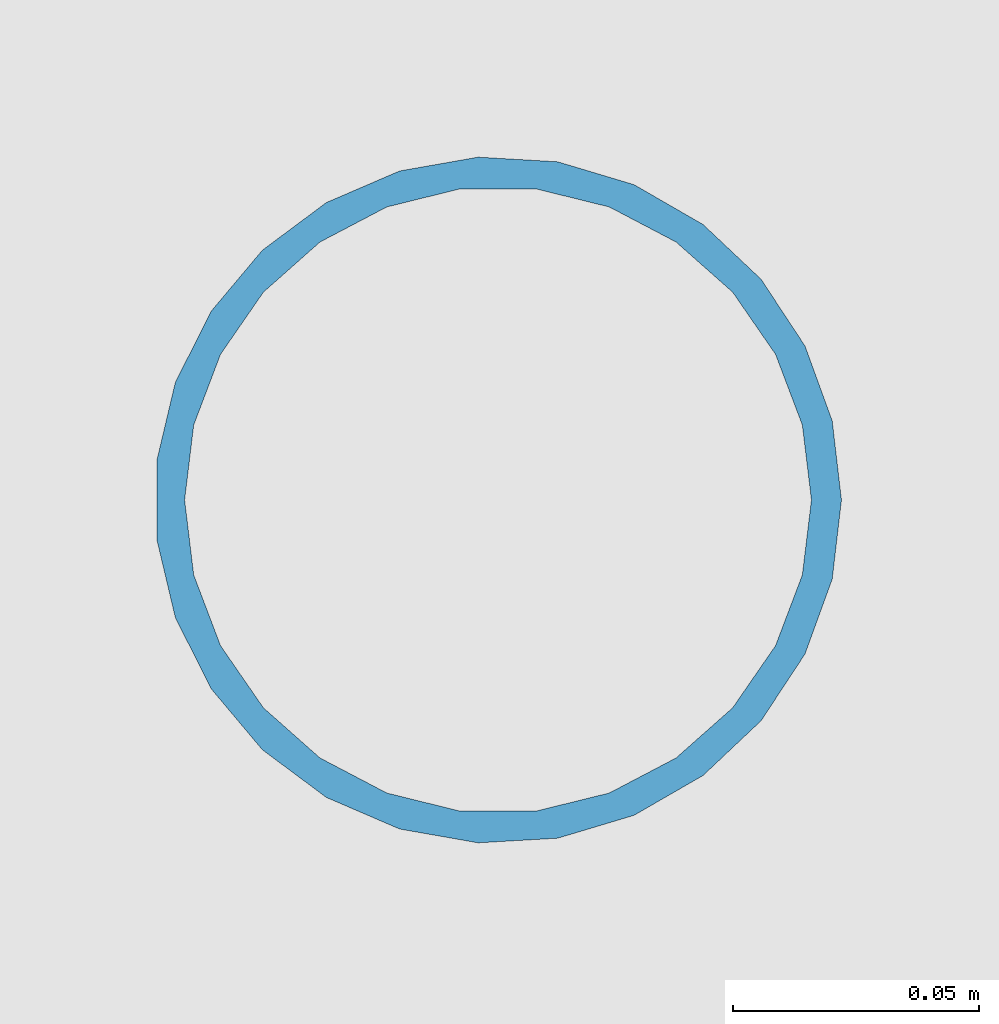
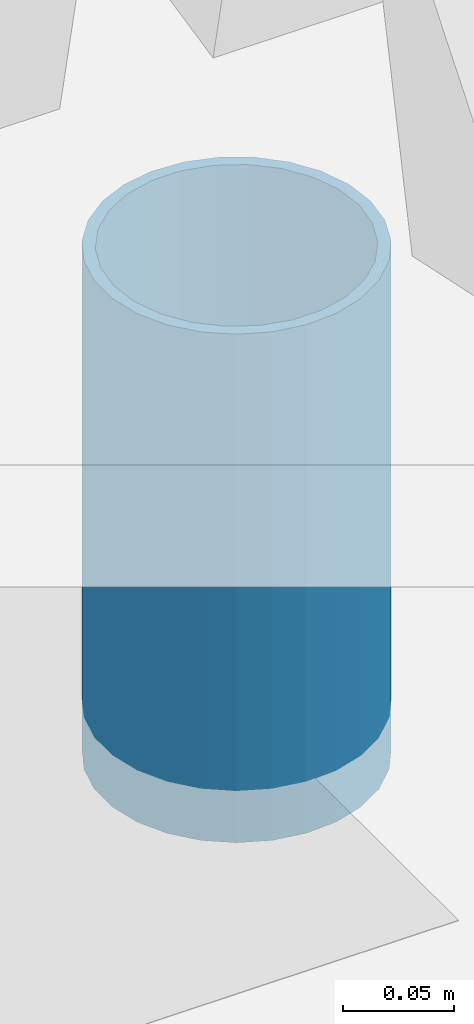
# One storey, part 7 of 11: 1 member.
"""IFC4 building model written with IfcOpenShell, lengths in metres."""

import ifcopenshell
import ifcopenshell.guid

model = None  # the IFC model being written
_history = None  # IfcOwnerHistory: only IFC2X3 demands one
_inside = {}  # id of a spatial element -> (the spatial element, [elements in it])
_under = {}  # id of a project, library or spatial element -> (it, [spatial elements below it])
_declared = {}  # id of a project -> (the project, [libraries it declares])
_typed = {}  # id of a type object -> (the type object, [elements of that type])
_made_of = {}  # id of a material, layer set ... -> (it, [elements and type objects made of it])


def new_model(schema):
    """Start an empty IFC model of exactly this schema.

    Asked for "IFC4X3", IfcOpenShell would pick the latest addendum, in which some entities
    have other attributes; the version numbers below select the first issue.
    IFC2X3 requires an IfcOwnerHistory on every rooted entity: one is made here for all.
    """
    global model, _history
    if schema == "IFC4X3":
        model = ifcopenshell.file(schema_version=(4, 3, 0, 0))
    else:
        model = ifcopenshell.file(schema=schema)
    _inside.clear()
    _under.clear()
    _declared.clear()
    _typed.clear()
    _made_of.clear()
    _history = None
    if model.schema == "IFC2X3":
        org = make("IfcOrganization", Name="unknown")
        user = make(
            "IfcPersonAndOrganization",
            ThePerson=make("IfcPerson", FamilyName="unknown"),
            TheOrganization=org,
        )
        app = make(
            "IfcApplication",
            ApplicationDeveloper=org,
            Version="unknown",
            ApplicationFullName="unknown",
            ApplicationIdentifier="unknown",
        )
        _history = make(
            "IfcOwnerHistory",
            OwningUser=user,
            OwningApplication=app,
            ChangeAction="ADDED",
            CreationDate=0,
        )
    return model


def make(cls, **values):
    """One entity of the class cls with the attributes given. An attribute that is None is left unset."""
    return model.create_entity(
        cls, **{name: value for name, value in values.items() if value is not None}
    )


def rooted(cls, **values):
    """An entity with a GlobalId (a new one), such as an element, a storey or a relation."""
    return make(cls, GlobalId=ifcopenshell.guid.new(), OwnerHistory=_history, **values)


def si_unit(unit_type, name, prefix=None):
    """IfcSIUnit, for example si_unit("LENGTHUNIT", "METRE", prefix="MILLI")."""
    return make("IfcSIUnit", UnitType=unit_type, Prefix=prefix, Name=name)


def assignment(units):
    """IfcUnitAssignment: the units of a project."""
    return None if units is None else make("IfcUnitAssignment", Units=units)


def point(xyz):
    """IfcCartesianPoint."""
    return None if xyz is None else make("IfcCartesianPoint", Coordinates=xyz)


def direction(xyz):
    """IfcDirection."""
    return None if xyz is None else make("IfcDirection", DirectionRatios=xyz)


def frame(location, z_axis=None, x_axis=None):
    """IfcAxis2Placement3D, a coordinate frame: its origin and axes. An axis left out is left unset."""
    return make(
        "IfcAxis2Placement3D",
        Location=point(location),
        Axis=direction(z_axis),
        RefDirection=direction(x_axis),
    )


def frame_2d(location, x_axis=None):
    """IfcAxis2Placement2D, a coordinate frame in the plane: its origin and x axis."""
    return make(
        "IfcAxis2Placement2D", Location=point(location), RefDirection=direction(x_axis)
    )


def origin():
    """The frame at (0, 0, 0) with its axes left unset."""
    return frame((0.0, 0.0, 0.0))


def origin_2d():
    """The frame at (0, 0) in the plane with its x axis left unset."""
    return frame_2d((0.0, 0.0))


def place(relative_to, where):
    """IfcLocalPlacement: puts the frame where relative to a parent placement (None: the world)."""
    return make(
        "IfcLocalPlacement", PlacementRelTo=relative_to, RelativePlacement=where
    )


def context(
    kind, dimensions, precision=None, world=None, true_north=None, identifier=None
):
    """IfcGeometricRepresentationContext, for example the 3D "Model" context."""
    return make(
        "IfcGeometricRepresentationContext",
        ContextIdentifier=identifier,
        ContextType=kind,
        CoordinateSpaceDimension=dimensions,
        Precision=precision,
        WorldCoordinateSystem=world,
        TrueNorth=true_north,
    )


def subcontext(parent, identifier, kind, view, scale=None):
    """IfcGeometricRepresentationSubContext, for example "Body" below "Model"."""
    return make(
        "IfcGeometricRepresentationSubContext",
        ContextIdentifier=identifier,
        ContextType=kind,
        ParentContext=parent,
        TargetScale=scale,
        TargetView=view,
    )


def project(units=None, contexts=None):
    """IfcProject with its units and contexts."""
    return rooted(
        "IfcProject",
        Name="project",
        RepresentationContexts=contexts,
        UnitsInContext=assignment(units),
    )


def spatial(cls, under=None, at=None, **own):
    """A site, building, storey or space (cls), placed at a placement, below another one or the project."""
    s = rooted(cls, ObjectPlacement=at, **own)
    if under is not None:
        _under.setdefault(under.id(), (under, []))[1].append(s)
    return s


def profile(cls, at=None, kind="AREA", **sizes):
    """A parametric profile (cls). Its sizes go by their IFC names, for example OverallWidth=200.0."""
    return make(cls, ProfileType=kind, Position=at, **sizes)


def hollow_circle(**sizes):
    """IfcCircleHollowProfileDef."""
    return profile("IfcCircleHollowProfileDef", **sizes)


def extrude(swept, where, along, depth):
    """IfcExtrudedAreaSolid: the profile swept, set in the frame where, extruded along a direction by depth."""
    return make(
        "IfcExtrudedAreaSolid",
        SweptArea=swept,
        Position=where,
        ExtrudedDirection=direction(along),
        Depth=depth,
    )


def shape(context_of_items, identifier, shape_type, items):
    """IfcShapeRepresentation: the items that make up one representation, for example the "Body"."""
    return make(
        "IfcShapeRepresentation",
        ContextOfItems=context_of_items,
        RepresentationIdentifier=identifier,
        RepresentationType=shape_type,
        Items=items,
    )


def material(Name=None, Category=None):
    """IfcMaterial."""
    return make("IfcMaterial", Name=Name, Category=Category)


def material_profile(
    of_material, cross_section, Name=None, Category=None, Priority=None
):
    """IfcMaterialProfile: a cross section and its material."""
    return make(
        "IfcMaterialProfile",
        Name=Name,
        Material=of_material,
        Profile=cross_section,
        Priority=Priority,
        Category=Category,
    )


def profile_set(profiles, Name=None, composite=None):
    """IfcMaterialProfileSet."""
    return make(
        "IfcMaterialProfileSet",
        Name=Name,
        MaterialProfiles=profiles,
        CompositeProfile=composite,
    )


def made_of(thing, what):
    """Note that an element or type object is made of a material, layer set ...; save() writes the relation."""
    if what is not None:
        _made_of.setdefault(what.id(), (what, []))[1].append(thing)
    return thing


def type_object(cls, material=None, **own):
    """A type object (cls), such as IfcWallType, which elements share."""
    return made_of(rooted(cls, **own), material)


def element(
    cls,
    number,
    at=None,
    inside=None,
    cuts=None,
    type_object=None,
    material=None,
    context=None,
    identifier="Body",
    shape_type=None,
    held_by="IfcProductDefinitionShape",
    body=None,
    shapes=None,
    **own,
):
    """One element of the class cls, such as IfcWall. Its Tag is "e" and its number.

    at: its placement. inside: the storey or other place that contains it. cuts: it is an
    opening in that element (IfcRelVoidsElement). A single representation is given by context,
    identifier, shape_type and body (its items); several are given by shapes. held_by: the class
    of the entity that holds the representations. save() writes the other relations.
    """
    e = rooted(cls, Tag="e%d" % number, ObjectPlacement=at, **own)
    if body is not None:
        shapes = [shape(context, identifier, shape_type, body)]
    if shapes is not None:
        e.Representation = make(held_by, Representations=shapes)
    if inside is not None:
        _inside.setdefault(inside.id(), (inside, []))[1].append(e)
    if cuts is not None:
        rooted(
            "IfcRelVoidsElement", RelatingBuildingElement=cuts, RelatedOpeningElement=e
        )
    if type_object is not None:
        _typed.setdefault(type_object.id(), (type_object, []))[1].append(e)
    return made_of(e, material)


def aggregate(whole, parts):
    """IfcRelAggregates: a whole, such as a stair, and the parts it consists of."""
    return rooted("IfcRelAggregates", RelatingObject=whole, RelatedObjects=parts)


def save(model, path):
    """Write the relations noted so far, then the file.

    IfcRelAggregates (storeys below a building ...), IfcRelContainedInSpatialStructure (elements
    in a storey), IfcRelDefinesByType, IfcRelAssociatesMaterial and IfcRelDeclares: one each for
    every whole, place, type object, material and project.
    """
    for whole, parts in _under.values():
        aggregate(whole, parts)
    for where, things in _inside.values():
        rooted(
            "IfcRelContainedInSpatialStructure",
            RelatedElements=things,
            RelatingStructure=where,
        )
    for kind, things in _typed.values():
        rooted("IfcRelDefinesByType", RelatedObjects=things, RelatingType=kind)
    for what, things in _made_of.values():
        rooted("IfcRelAssociatesMaterial", RelatedObjects=things, RelatingMaterial=what)
    for by, libraries in _declared.values():
        rooted("IfcRelDeclares", RelatingContext=by, RelatedDefinitions=libraries)
    model.write(path)


model = new_model("IFC4")

# Units and contexts
model_context = context("Model", 3, precision=1e-05, world=origin(), true_north=direction((0.0, 1.0)))
body_context = subcontext(model_context, "Body", "Model", "MODEL_VIEW")
ifc_project = project(units=[si_unit("LENGTHUNIT", "METRE"), si_unit("AREAUNIT", "SQUARE_METRE"), si_unit("VOLUMEUNIT", "CUBIC_METRE"), si_unit("PLANEANGLEUNIT", "RADIAN"), si_unit("MASSUNIT", "GRAM", prefix="KILO")], contexts=[model_context])

# Site, building, storey
site_placement = place(None, origin())
site = spatial("IfcSite", under=ifc_project, at=site_placement, CompositionType="ELEMENT")
building_placement = place(site_placement, origin())
building = spatial("IfcBuilding", under=site, at=building_placement, Name="Kisaragi Civic Commons", CompositionType="ELEMENT")
storey_placement = place(building_placement, frame((0.0, 0.0, 21.60009765625)))
storey = spatial("IfcBuildingStorey", under=building, at=storey_placement, Name="RF", CompositionType="ELEMENT", Elevation=21.60009765625)

# Member
ifc_material = material(Name="Steel SN490 (SN490B)", Category="steel")
ifc_material_profile = material_profile(ifc_material, hollow_circle(Radius=0.06982421875, WallThickness=0.006103515625, at=origin_2d()), Name="CHS-139.8x6.0", Category="steel")
ifc_profile_set = profile_set([ifc_material_profile], Name="Steel SN490 (SN490B)")
member_type = type_object("IfcMemberType", Name="ST-H1", PredefinedType="STRUT", material=ifc_profile_set)
member_placement = place(storey_placement, frame((123.60009765625, 104.39990234375, -0.25), z_axis=(0.0, 0.0, 1.0), x_axis=(1.0, 0.0, 0.0)))
element("IfcMember", 1, at=member_placement, inside=storey, type_object=member_type, Name="RF solar canopy post (123.6,104.4)", PredefinedType="STRUT", context=body_context, shape_type="SweptSolid", body=[
    extrude(hollow_circle(Radius=0.06982421875, WallThickness=0.006103515625, at=origin_2d()), origin(), (0.0, 0.0, 1.0), 0.27978515625),
])

save(model, "model.ifc")
